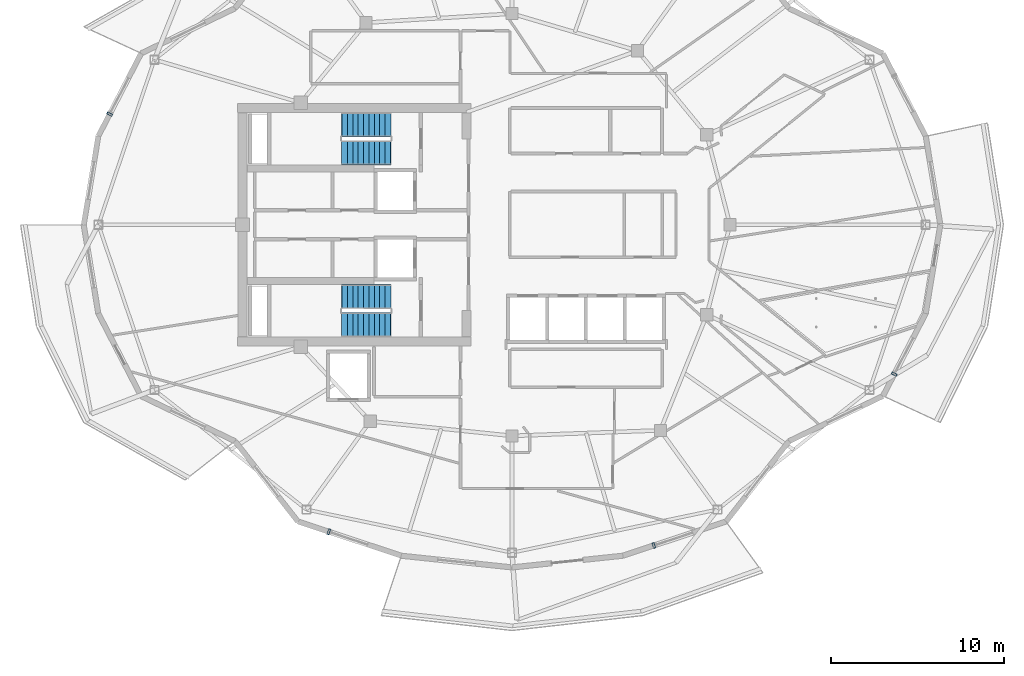
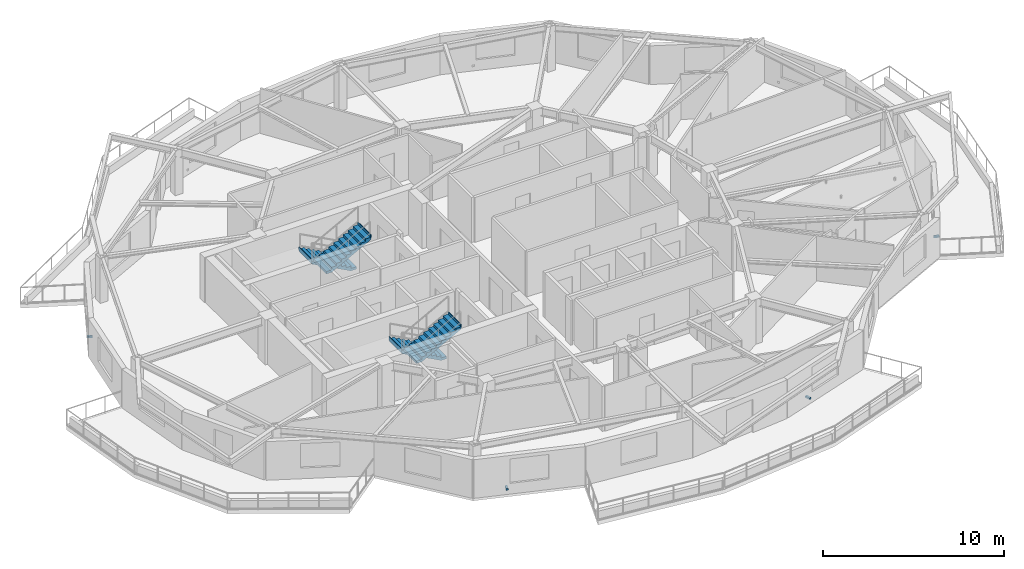
# One storey, part 7 of 14: 4 discrete accessories, 4 stair flights, 2 elements without a shape of their own.
"""IFC4 building model written with IfcOpenShell, lengths in metres."""

from ifc_helpers import new_model, si_unit, direction, frame, origin, origin_2d, place, context, subcontext, project, spatial, polyline, rectangle, outline, extrude, material, type_object, element, aggregate, save


model = new_model("IFC4")

# Units and contexts
model_context = context("Model", 3, precision=1e-05, world=origin(), true_north=direction((0.0, 1.0)))
body_context = subcontext(model_context, "Body", "Model", "MODEL_VIEW")
ifc_project = project(units=[si_unit("LENGTHUNIT", "METRE"), si_unit("AREAUNIT", "SQUARE_METRE"), si_unit("VOLUMEUNIT", "CUBIC_METRE"), si_unit("PLANEANGLEUNIT", "RADIAN"), si_unit("MASSUNIT", "GRAM", prefix="KILO")], contexts=[model_context])

# Site, building, storey
site_placement = place(None, origin())
site = spatial("IfcSite", under=ifc_project, at=site_placement, CompositionType="ELEMENT")
building_placement = place(site_placement, origin())
building = spatial("IfcBuilding", under=site, at=building_placement, Name="Kolvaren Gate Tower and Convention Centre", CompositionType="ELEMENT")
storey_placement = place(building_placement, frame((0.0, 0.0, 222.800048828125)))
storey = spatial("IfcBuildingStorey", under=building, at=storey_placement, Name="L59", CompositionType="ELEMENT", Elevation=222.800048828125)

# Stair, stair flights
ifc_material_1 = material(Name="Concrete C50/60", Category="concrete")
stair_type = type_object("IfcStairType", Name="STR-STAIR-CORE", PredefinedType="HALF_TURN_STAIR", material=ifc_material_1)
stair_1_placement = place(storey_placement, origin())
stair_1 = element("IfcStair", 1, at=stair_1_placement, inside=storey, type_object=stair_type, Name="L59 Tower North Exit Stair ST-T1", PredefinedType="HALF_TURN_STAIR")
stair_flight_type = type_object("IfcStairFlightType", Name="STR-SFL-1420", PredefinedType="STRAIGHT", material=ifc_material_1)
stair_flight_1_placement = place(storey_placement, frame((23.10009765625, 32.7900390625, 0.0), z_axis=(0.0, 0.0, 1.0), x_axis=(-1.0, 0.0, 0.0)))
stair_flight_1 = element("IfcStairFlight", 2, at=stair_flight_1_placement, type_object=stair_flight_type, Name="ST-T1 flight 1", NumberOfRisers=10, NumberOfTreads=9, PredefinedType="STRAIGHT", RiserHeight=0.165, TreadLength=0.31, context=body_context, shape_type="SweptSolid", body=[
    extrude(outline(polyline([(-0.034912109375, 0.0), (-0.034912109375, 0.1650390625), (0.31005859375, 0.1650390625), (0.31005859375, 0.330078125), (0.6201171875, 0.330078125), (0.6201171875, 0.4951171875), (0.929931640625, 0.4951171875), (0.929931640625, 0.659912109375), (1.239990234375, 0.659912109375), (1.239990234375, 0.824951171875), (1.550048828125, 0.824951171875), (1.550048828125, 0.989990234375), (1.860107421875, 0.989990234375), (1.860107421875, 1.155029296875), (2.169921875, 1.155029296875), (2.169921875, 1.320068359375), (2.47998046875, 1.320068359375), (2.47998046875, 1.485107421875), (2.7900390625, 1.485107421875), (2.7900390625, 1.64990234375), (2.8349609375, 1.64990234375), (2.8349609375, 1.489990234375), (2.7900390625, 1.315185546875), (0.319091796875, 0.0), (-0.034912109375, 0.0)])), frame((0.0, 0.7099609375, 0.0), z_axis=(0.0, -1.0, 0.0), x_axis=(1.0, 0.0, 0.0)), (0.0, 0.0, 1.0), 1.419921875),
])
stair_flight_2_placement = place(storey_placement, frame((20.31005859375, 31.169921875, 1.64990234375), z_axis=(0.0, 0.0, 1.0), x_axis=(1.0, 0.0, 0.0)))
stair_flight_2 = element("IfcStairFlight", 3, at=stair_flight_2_placement, type_object=stair_flight_type, Name="ST-T1 flight 2", NumberOfRisers=10, NumberOfTreads=9, PredefinedType="STRAIGHT", RiserHeight=0.165, TreadLength=0.31, context=body_context, shape_type="SweptSolid", body=[
    extrude(outline(polyline([(-0.034912109375, 0.0), (-0.034912109375, 0.1650390625), (0.31005859375, 0.1650390625), (0.31005859375, 0.330078125), (0.6201171875, 0.330078125), (0.6201171875, 0.4951171875), (0.929931640625, 0.4951171875), (0.929931640625, 0.659912109375), (1.239990234375, 0.659912109375), (1.239990234375, 0.824951171875), (1.550048828125, 0.824951171875), (1.550048828125, 0.989990234375), (1.860107421875, 0.989990234375), (1.860107421875, 1.155029296875), (2.169921875, 1.155029296875), (2.169921875, 1.320068359375), (2.47998046875, 1.320068359375), (2.47998046875, 1.485107421875), (2.7900390625, 1.485107421875), (2.7900390625, 1.64990234375), (2.8349609375, 1.64990234375), (2.8349609375, 1.489990234375), (2.7900390625, 1.315185546875), (0.319091796875, 0.0), (-0.034912109375, 0.0)])), frame((0.0, 0.7099609375, 0.0), z_axis=(0.0, -1.0, 0.0), x_axis=(1.0, 0.0, 0.0)), (0.0, 0.0, 1.0), 1.419921875),
])
aggregate(stair_1, [stair_flight_1, stair_flight_2])

stair_2_placement = place(storey_placement, origin())
stair_2 = element("IfcStair", 4, at=stair_2_placement, inside=storey, type_object=stair_type, Name="L59 Tower South Exit Stair ST-T2", PredefinedType="HALF_TURN_STAIR")
stair_flight_3_placement = place(storey_placement, frame((23.10009765625, 22.830078125, 0.0), z_axis=(0.0, 0.0, 1.0), x_axis=(-1.0, 0.0, 0.0)))
stair_flight_3 = element("IfcStairFlight", 5, at=stair_flight_3_placement, type_object=stair_flight_type, Name="ST-T2 flight 1", NumberOfRisers=10, NumberOfTreads=9, PredefinedType="STRAIGHT", RiserHeight=0.165, TreadLength=0.31, context=body_context, shape_type="SweptSolid", body=[
    extrude(outline(polyline([(-0.034912109375, 0.0), (-0.034912109375, 0.1650390625), (0.31005859375, 0.1650390625), (0.31005859375, 0.330078125), (0.6201171875, 0.330078125), (0.6201171875, 0.4951171875), (0.929931640625, 0.4951171875), (0.929931640625, 0.659912109375), (1.239990234375, 0.659912109375), (1.239990234375, 0.824951171875), (1.550048828125, 0.824951171875), (1.550048828125, 0.989990234375), (1.860107421875, 0.989990234375), (1.860107421875, 1.155029296875), (2.169921875, 1.155029296875), (2.169921875, 1.320068359375), (2.47998046875, 1.320068359375), (2.47998046875, 1.485107421875), (2.7900390625, 1.485107421875), (2.7900390625, 1.64990234375), (2.8349609375, 1.64990234375), (2.8349609375, 1.489990234375), (2.7900390625, 1.315185546875), (0.319091796875, 0.0), (-0.034912109375, 0.0)])), frame((0.0, 0.7099609375, 0.0), z_axis=(0.0, -1.0, 0.0), x_axis=(1.0, 0.0, 0.0)), (0.0, 0.0, 1.0), 1.419921875),
])
stair_flight_4_placement = place(storey_placement, frame((20.31005859375, 21.2099609375, 1.64990234375), z_axis=(0.0, 0.0, 1.0), x_axis=(1.0, 0.0, 0.0)))
stair_flight_4 = element("IfcStairFlight", 6, at=stair_flight_4_placement, type_object=stair_flight_type, Name="ST-T2 flight 2", NumberOfRisers=10, NumberOfTreads=9, PredefinedType="STRAIGHT", RiserHeight=0.165, TreadLength=0.31, context=body_context, shape_type="SweptSolid", body=[
    extrude(outline(polyline([(-0.034912109375, 0.0), (-0.034912109375, 0.1650390625), (0.31005859375, 0.1650390625), (0.31005859375, 0.330078125), (0.6201171875, 0.330078125), (0.6201171875, 0.4951171875), (0.929931640625, 0.4951171875), (0.929931640625, 0.659912109375), (1.239990234375, 0.659912109375), (1.239990234375, 0.824951171875), (1.550048828125, 0.824951171875), (1.550048828125, 0.989990234375), (1.860107421875, 0.989990234375), (1.860107421875, 1.155029296875), (2.169921875, 1.155029296875), (2.169921875, 1.320068359375), (2.47998046875, 1.320068359375), (2.47998046875, 1.485107421875), (2.7900390625, 1.485107421875), (2.7900390625, 1.64990234375), (2.8349609375, 1.64990234375), (2.8349609375, 1.489990234375), (2.7900390625, 1.315185546875), (0.319091796875, 0.0), (-0.034912109375, 0.0)])), frame((0.0, 0.7099609375, 0.0), z_axis=(0.0, -1.0, 0.0), x_axis=(1.0, 0.0, 0.0)), (0.0, 0.0, 1.0), 1.419921875),
])
aggregate(stair_2, [stair_flight_3, stair_flight_4])

# Discrete accessories
ifc_material_2 = material(Name="Anodized Architectural Aluminium Alloy 6063-T6", Category="aluminium")
discrete_accessory_type = type_object("IfcDiscreteAccessoryType", Name="ARCH-ACC-BRACKET-120", PredefinedType="BRACKET", material=ifc_material_2)
for number, where, z_axis, x_axis, name in (
    (7, (6.87548828125, 33.3935546875, 0.289794921875), (0.0, 0.0, 1.0), (0.459799959359, 0.888022520758, 0.0), "Ceramic Fin Wall Anchor Bracket FBK-L59-10"),
    (8, (19.538330078125, 9.260009765625, 0.289794921875), (0.0, 0.0, 1.0), (0.949241728595, -0.314547517385, 0.0), "Ceramic Fin Wall Anchor Bracket FBK-L59-16"),
    (9, (38.319091796875, 8.46728515625, 0.289794921875), (0.0, 0.0, 1.0), (0.949241728595, 0.314547517385, 0.0), "Ceramic Fin Wall Anchor Bracket FBK-L59-19"),
    (10, (52.21630859375, 18.368896484375, 0.289794921875), (0.0, 0.0, 1.0), (0.459799959359, 0.888022520758, 0.0), "Ceramic Fin Wall Anchor Bracket FBK-L59-22"),
):
    element("IfcDiscreteAccessory", number, at=place(storey_placement, frame(where, z_axis=z_axis, x_axis=x_axis)), inside=storey, type_object=discrete_accessory_type, Name=name, PredefinedType="BRACKET", context=body_context, shape_type="SweptSolid", body=[
        extrude(rectangle(XDim=0.1201171875, YDim=0.320068359375, at=origin_2d()), origin(), (0.0, 0.0, 1.0), 0.1201171875),
    ])

save(model, "model.ifc")
